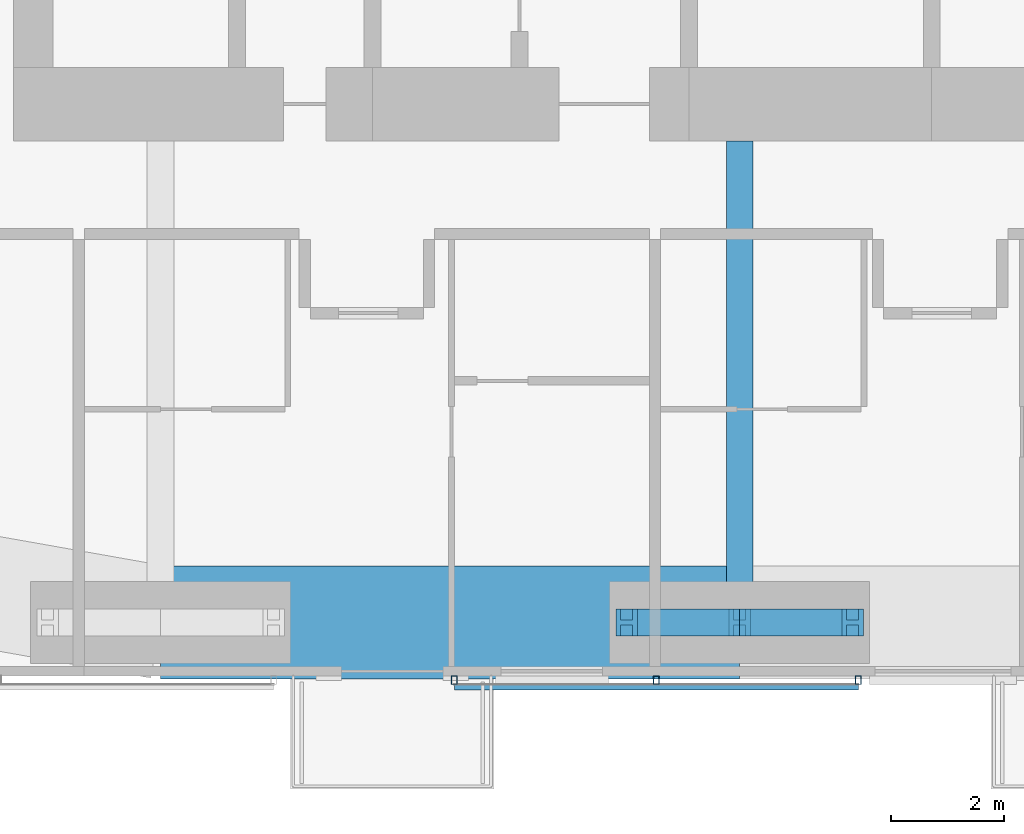
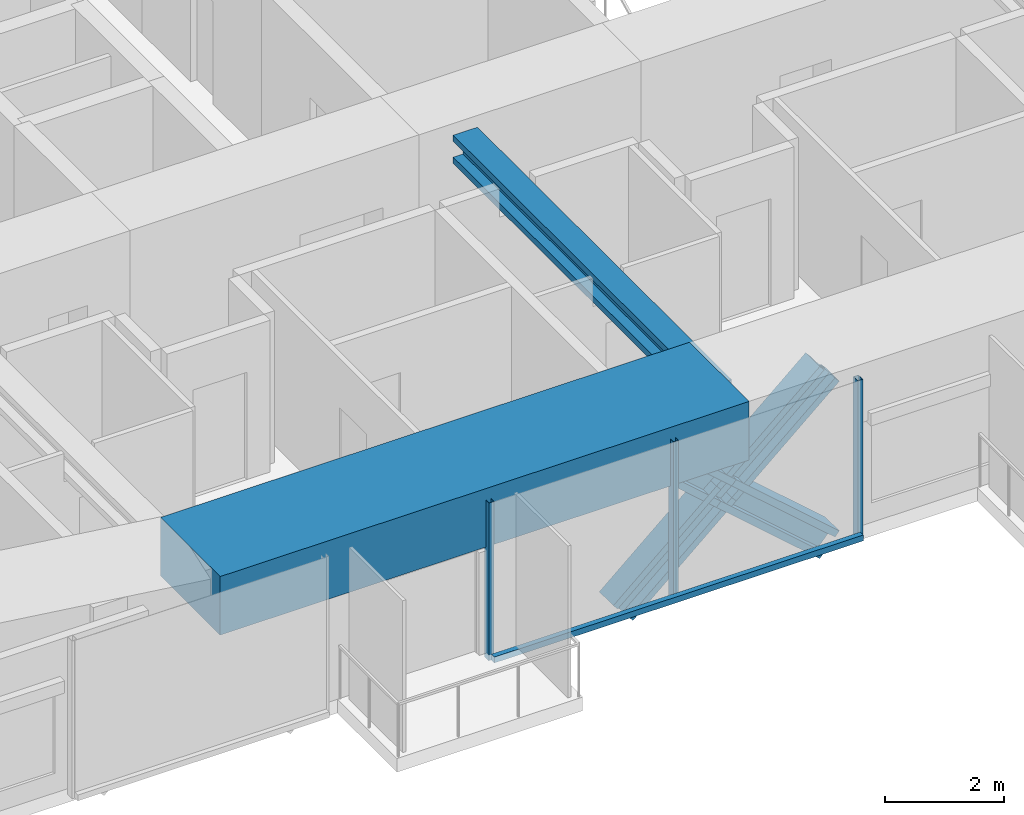
# One storey, part 3 of 22: 8 members, 2 beams, 1 element without a shape of its own.
"""IFC4 building model written with IfcOpenShell, lengths in metres."""

from ifc_helpers import new_model, si_unit, direction, frame, origin, origin_2d, place, context, subcontext, project, spatial, rectangle, hollow_rectangle, i_section, extrude, material, material_profile, profile_set, type_object, element, aggregate, save


model = new_model("IFC4")

# Units and contexts
model_context = context("Model", 3, precision=1e-05, world=origin(), true_north=direction((0.0, 1.0)))
body_context = subcontext(model_context, "Body", "Model", "MODEL_VIEW")
ifc_project = project(units=[si_unit("LENGTHUNIT", "METRE"), si_unit("AREAUNIT", "SQUARE_METRE"), si_unit("VOLUMEUNIT", "CUBIC_METRE"), si_unit("PLANEANGLEUNIT", "RADIAN"), si_unit("MASSUNIT", "GRAM", prefix="KILO")], contexts=[model_context])

# Site, building, storey
site_placement = place(None, origin())
site = spatial("IfcSite", under=ifc_project, at=site_placement, CompositionType="ELEMENT")
building_placement = place(site_placement, origin())
building = spatial("IfcBuilding", under=site, at=building_placement, Name="Jalousie Tower", CompositionType="ELEMENT")
storey_placement = place(building_placement, frame((0.0, 0.0, 154.35009765625)))
storey = spatial("IfcBuildingStorey", under=building, at=storey_placement, Name="L41", CompositionType="ELEMENT", Elevation=154.35009765625)

# Beam
ifc_material_1 = material(Name="Steel ASTM A992 Grade 50", Category="steel")
ifc_material_profile_1 = material_profile(ifc_material_1, i_section(OverallWidth=0.472412109375, OverallDepth=0.5791015625, WebThickness=0.094970703125, FlangeThickness=0.1298828125, at=origin_2d()), Name="W14X808")
ifc_profile_set_1 = profile_set([ifc_material_profile_1], Name="Steel ASTM A992 Grade 50")
beam_type_1 = type_object("IfcBeamType", Name="LEAN COLLECTOR W14X808", PredefinedType="BEAM", material=ifc_profile_set_1)
beam_1_placement = place(storey_placement, frame((32.5, 0.949951171875, 2.8203125), z_axis=(0.0, 1.0, 0.0), x_axis=(-1.0, 0.0, 0.0)))
element("IfcBeam", 1, at=beam_1_placement, inside=storey, type_object=beam_type_1, Name="Lean collector under L42", PredefinedType="BEAM", context=body_context, shape_type="SweptSolid", body=[
    extrude(i_section(OverallWidth=0.472412109375, OverallDepth=0.5791015625, WebThickness=0.094970703125, FlangeThickness=0.1298828125, at=origin_2d()), origin(), (0.0, 0.0, 1.0), 8.525146484375),
])

# Members
ifc_material_2 = material(Name="Steel ASTM A992 Grade 50", Category="steel")
ifc_material_profile_2 = material_profile(ifc_material_2, i_section(OverallWidth=0.472412109375, OverallDepth=0.5791015625, WebThickness=0.094970703125, FlangeThickness=0.1298828125, at=origin_2d()), Name="W14X808")
ifc_profile_set_2 = profile_set([ifc_material_profile_2], Name="Steel ASTM A992 Grade 50")
member_type_1 = type_object("IfcMemberType", Name="PERIMETER BRACE W14X808", PredefinedType="BRACE", material=ifc_profile_set_2)
for number, where, z_axis, x_axis, name in (
    (2, (30.5, 0.949951171875, -0.75), (0.752576694707, 0.0, 0.658504607869), (0.0, 1.0, 0.0), "Perimeter brace 03 L41 part 1"),
    (3, (32.5, 0.949951171875, 1.0), (0.752576694707, 0.0, 0.658504607869), (0.0, 1.0, 0.0), "Perimeter brace 03 L41 part 2"),
    (4, (34.5, 0.949951171875, -0.75), (-0.752576694707, 0.0, 0.658504607869), (0.0, -1.0, 0.0), "Perimeter brace 03 L41 part 3"),
    (5, (32.5, 0.949951171875, 1.0), (-0.752576694707, 0.0, 0.658504607869), (0.0, -1.0, 0.0), "Perimeter brace 03 L41 part 4"),
):
    element("IfcMember", number, at=place(storey_placement, frame(where, z_axis=z_axis, x_axis=x_axis)), inside=storey, type_object=member_type_1, Name=name, PredefinedType="BRACE", context=body_context, shape_type="SweptSolid", body=[
        extrude(i_section(OverallWidth=0.472412109375, OverallDepth=0.5791015625, WebThickness=0.094970703125, FlangeThickness=0.1298828125, at=origin_2d()), origin(), (0.0, 0.0, 1.0), 2.657470703125),
    ])

# Beam
ifc_material_3 = material(Name="Concrete f'c 40 MPa", Category="concrete")
ifc_material_profile_3 = material_profile(ifc_material_3, rectangle(XDim=2.0, YDim=1.199951171875, at=origin_2d()), Name="RC 2000x1200")
ifc_profile_set_3 = profile_set([ifc_material_profile_3], Name="Concrete f'c 40 MPa")
beam_type_2 = type_object("IfcBeamType", Name="RC BEAM 2000x1200", PredefinedType="BEAM", material=ifc_profile_set_3)
beam_2_placement = place(storey_placement, frame((22.25, 0.949951171875, 2.75), z_axis=(1.0, 0.0, 0.0), x_axis=(0.0, 1.0, 0.0)))
element("IfcBeam", 6, at=beam_2_placement, inside=storey, type_object=beam_type_2, Name="Edge band beam 02-03 under L42", PredefinedType="BEAM", context=body_context, shape_type="SweptSolid", body=[
    extrude(rectangle(XDim=2.0, YDim=1.199951171875, at=origin_2d()), origin(), (0.0, 0.0, 1.0), 10.25),
])

# Curtain wall, members
ifc_material_4 = material(Name="Perforated aluminium sheet", Category="aluminium")
curtain_wall_type = type_object("IfcCurtainWallType", Name="SOLAR SCREEN SS-1", PredefinedType="USERDEFINED", material=ifc_material_4)
curtain_wall_placement = place(storey_placement, origin())
curtain_wall = element("IfcCurtainWall", 7, at=curtain_wall_placement, inside=storey, type_object=curtain_wall_type, Name="Solar screen L41", ObjectType="SOLAR SCREEN SS-1", PredefinedType="USERDEFINED")
ifc_material_5 = material(Name="Steel ASTM A500 Grade C", Category="steel")
ifc_material_profile_4 = material_profile(ifc_material_5, hollow_rectangle(XDim=0.1015625, YDim=0.15234375, WallThickness=0.00634765625, at=origin_2d()), Name="HSS6X4X1/4")
ifc_profile_set_4 = profile_set([ifc_material_profile_4], Name="Steel ASTM A500 Grade C")
member_type_2 = type_object("IfcMemberType", Name="SOLAR SCREEN SS-1 MULLION", PredefinedType="MULLION", material=ifc_profile_set_4)
member_1_placement = place(storey_placement, frame((27.449951171875, -0.0712890625, -0.1201171875), z_axis=(0.0, 0.0, 1.0), x_axis=(1.0, 0.0, 0.0)))
member_1 = element("IfcMember", 8, at=member_1_placement, type_object=member_type_2, Name="SS1 post 1", PredefinedType="MULLION", context=body_context, shape_type="SweptSolid", body=[
    extrude(hollow_rectangle(XDim=0.1015625, YDim=0.15234375, WallThickness=0.00634765625, at=origin_2d()), origin(), (0.0, 0.0, 1.0), 3.22998046875),
])
member_2_placement = place(storey_placement, frame((31.02490234375, -0.0712890625, -0.1201171875), z_axis=(0.0, 0.0, 1.0), x_axis=(1.0, 0.0, 0.0)))
member_2 = element("IfcMember", 9, at=member_2_placement, type_object=member_type_2, Name="SS1 post 2", PredefinedType="MULLION", context=body_context, shape_type="SweptSolid", body=[
    extrude(hollow_rectangle(XDim=0.1015625, YDim=0.15234375, WallThickness=0.00634765625, at=origin_2d()), origin(), (0.0, 0.0, 1.0), 3.22998046875),
])
member_3_placement = place(storey_placement, frame((34.60009765625, -0.0712890625, -0.1201171875), z_axis=(0.0, 0.0, 1.0), x_axis=(1.0, 0.0, 0.0)))
member_3 = element("IfcMember", 10, at=member_3_placement, type_object=member_type_2, Name="SS1 post 3", PredefinedType="MULLION", context=body_context, shape_type="SweptSolid", body=[
    extrude(hollow_rectangle(XDim=0.1015625, YDim=0.15234375, WallThickness=0.00634765625, at=origin_2d()), origin(), (0.0, 0.0, 1.0), 3.22998046875),
])
ifc_material_6 = material(Name="Extruded aluminium screen rail", Category="aluminium")
ifc_material_profile_5 = material_profile(ifc_material_6, rectangle(XDim=0.1015625, YDim=0.1201171875, at=origin_2d()), Name="RAIL 102x120")
ifc_profile_set_5 = profile_set([ifc_material_profile_5], Name="Extruded aluminium screen rail")
member_type_3 = type_object("IfcMemberType", Name="SOLAR SCREEN SS-1 TRANSOM", PredefinedType="USERDEFINED", material=ifc_profile_set_5)
member_4_placement = place(storey_placement, frame((27.449951171875, -0.1982421875, -0.06005859375), z_axis=(1.0, 0.0, 0.0), x_axis=(0.0, 1.0, 0.0)))
member_4 = element("IfcMember", 11, at=member_4_placement, type_object=member_type_3, Name="SS1 rail", ObjectType="TRANSOM", PredefinedType="USERDEFINED", context=body_context, shape_type="SweptSolid", body=[
    extrude(rectangle(XDim=0.1015625, YDim=0.1201171875, at=origin_2d()), origin(), (0.0, 0.0, 1.0), 7.150146484375),
])
aggregate(curtain_wall, [member_1, member_2, member_3, member_4])

save(model, "model.ifc")
